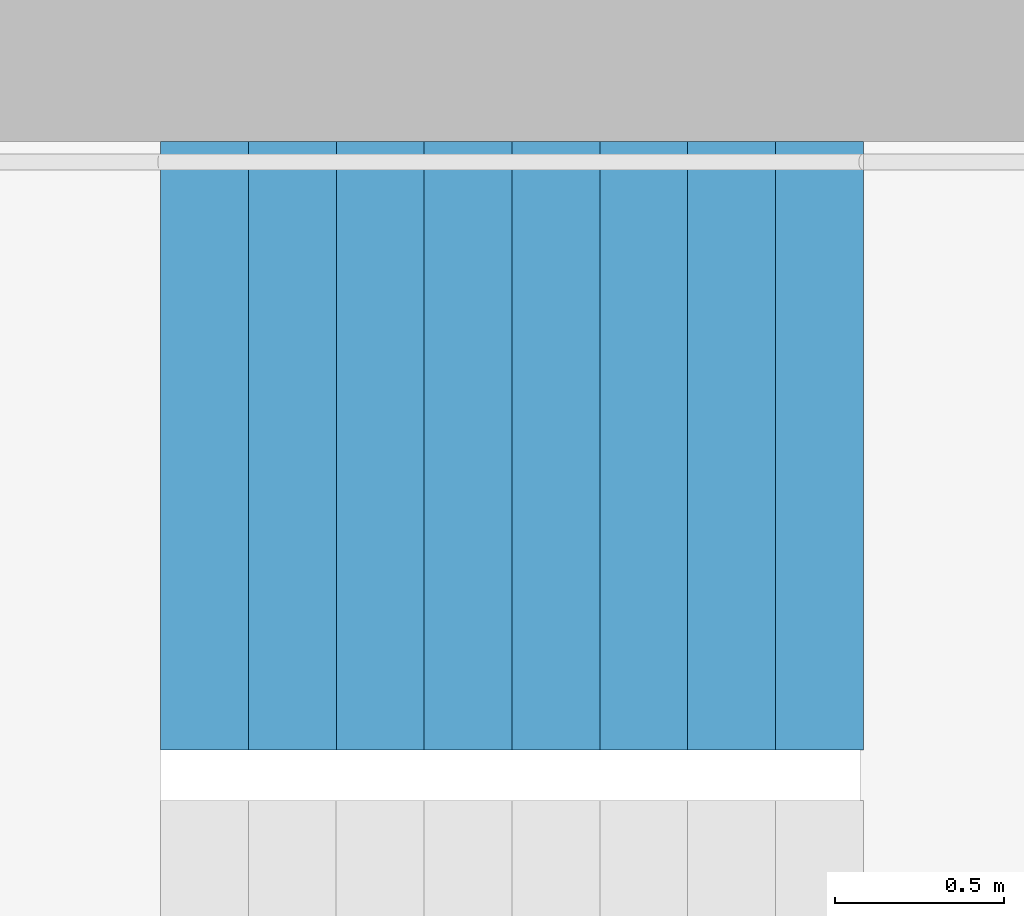
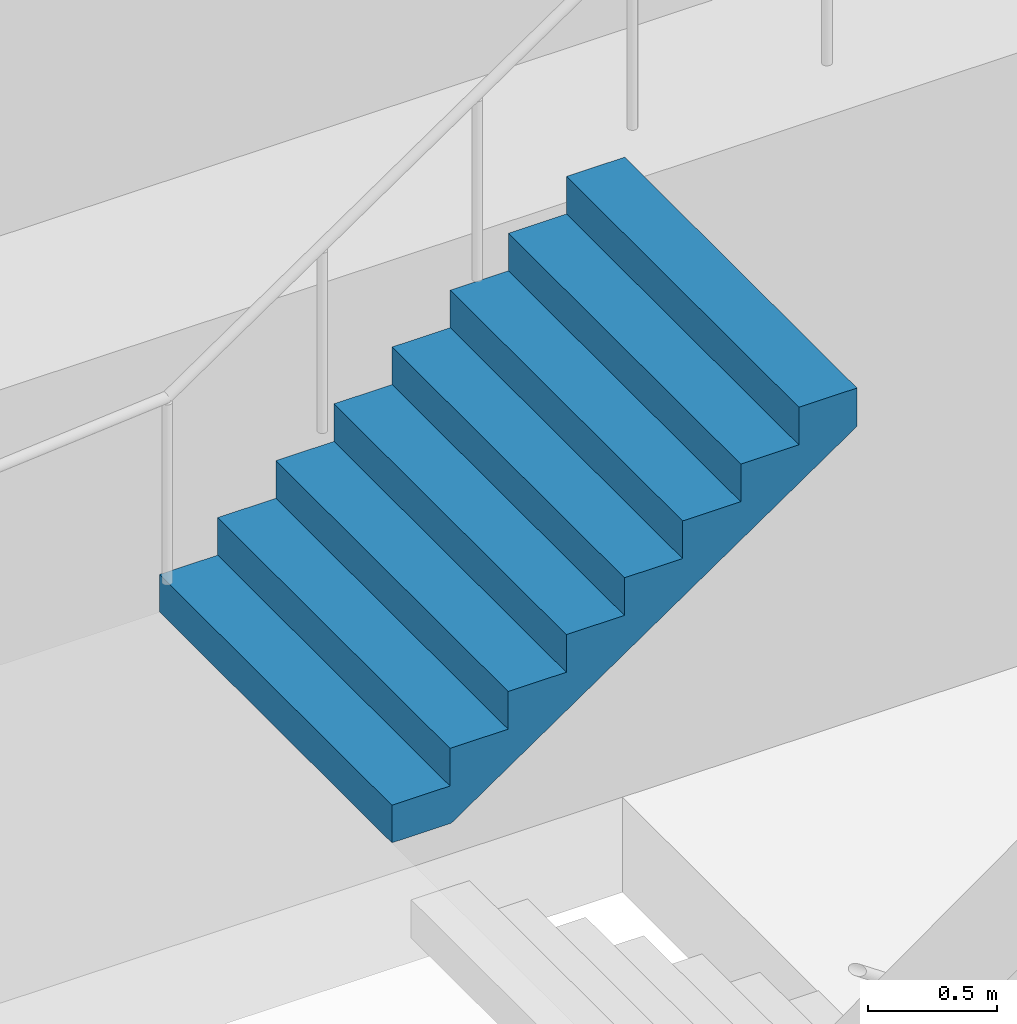
# One storey, part 25 of 26: 1 stair flight, 1 element without a shape of its own.
"""IFC4 building model written with IfcOpenShell, lengths in metres."""

import ifcopenshell
import ifcopenshell.guid

model = None  # the IFC model being written
_history = None  # IfcOwnerHistory: only IFC2X3 demands one
_inside = {}  # id of a spatial element -> (the spatial element, [elements in it])
_under = {}  # id of a project, library or spatial element -> (it, [spatial elements below it])
_declared = {}  # id of a project -> (the project, [libraries it declares])
_typed = {}  # id of a type object -> (the type object, [elements of that type])
_made_of = {}  # id of a material, layer set ... -> (it, [elements and type objects made of it])


def new_model(schema):
    """Start an empty IFC model of exactly this schema.

    Asked for "IFC4X3", IfcOpenShell would pick the latest addendum, in which some entities
    have other attributes; the version numbers below select the first issue.
    IFC2X3 requires an IfcOwnerHistory on every rooted entity: one is made here for all.
    """
    global model, _history
    if schema == "IFC4X3":
        model = ifcopenshell.file(schema_version=(4, 3, 0, 0))
    else:
        model = ifcopenshell.file(schema=schema)
    _inside.clear()
    _under.clear()
    _declared.clear()
    _typed.clear()
    _made_of.clear()
    _history = None
    if model.schema == "IFC2X3":
        org = make("IfcOrganization", Name="unknown")
        user = make(
            "IfcPersonAndOrganization",
            ThePerson=make("IfcPerson", FamilyName="unknown"),
            TheOrganization=org,
        )
        app = make(
            "IfcApplication",
            ApplicationDeveloper=org,
            Version="unknown",
            ApplicationFullName="unknown",
            ApplicationIdentifier="unknown",
        )
        _history = make(
            "IfcOwnerHistory",
            OwningUser=user,
            OwningApplication=app,
            ChangeAction="ADDED",
            CreationDate=0,
        )
    return model


def make(cls, **values):
    """One entity of the class cls with the attributes given. An attribute that is None is left unset."""
    return model.create_entity(
        cls, **{name: value for name, value in values.items() if value is not None}
    )


def rooted(cls, **values):
    """An entity with a GlobalId (a new one), such as an element, a storey or a relation."""
    return make(cls, GlobalId=ifcopenshell.guid.new(), OwnerHistory=_history, **values)


def si_unit(unit_type, name, prefix=None):
    """IfcSIUnit, for example si_unit("LENGTHUNIT", "METRE", prefix="MILLI")."""
    return make("IfcSIUnit", UnitType=unit_type, Prefix=prefix, Name=name)


def assignment(units):
    """IfcUnitAssignment: the units of a project."""
    return None if units is None else make("IfcUnitAssignment", Units=units)


def point(xyz):
    """IfcCartesianPoint."""
    return None if xyz is None else make("IfcCartesianPoint", Coordinates=xyz)


def direction(xyz):
    """IfcDirection."""
    return None if xyz is None else make("IfcDirection", DirectionRatios=xyz)


def frame(location, z_axis=None, x_axis=None):
    """IfcAxis2Placement3D, a coordinate frame: its origin and axes. An axis left out is left unset."""
    return make(
        "IfcAxis2Placement3D",
        Location=point(location),
        Axis=direction(z_axis),
        RefDirection=direction(x_axis),
    )


def origin():
    """The frame at (0, 0, 0) with its axes left unset."""
    return frame((0.0, 0.0, 0.0))


def place(relative_to, where):
    """IfcLocalPlacement: puts the frame where relative to a parent placement (None: the world)."""
    return make(
        "IfcLocalPlacement", PlacementRelTo=relative_to, RelativePlacement=where
    )


def context(
    kind, dimensions, precision=None, world=None, true_north=None, identifier=None
):
    """IfcGeometricRepresentationContext, for example the 3D "Model" context."""
    return make(
        "IfcGeometricRepresentationContext",
        ContextIdentifier=identifier,
        ContextType=kind,
        CoordinateSpaceDimension=dimensions,
        Precision=precision,
        WorldCoordinateSystem=world,
        TrueNorth=true_north,
    )


def subcontext(parent, identifier, kind, view, scale=None):
    """IfcGeometricRepresentationSubContext, for example "Body" below "Model"."""
    return make(
        "IfcGeometricRepresentationSubContext",
        ContextIdentifier=identifier,
        ContextType=kind,
        ParentContext=parent,
        TargetScale=scale,
        TargetView=view,
    )


def project(units=None, contexts=None):
    """IfcProject with its units and contexts."""
    return rooted(
        "IfcProject",
        Name="project",
        RepresentationContexts=contexts,
        UnitsInContext=assignment(units),
    )


def spatial(cls, under=None, at=None, **own):
    """A site, building, storey or space (cls), placed at a placement, below another one or the project."""
    s = rooted(cls, ObjectPlacement=at, **own)
    if under is not None:
        _under.setdefault(under.id(), (under, []))[1].append(s)
    return s


def point_list(points):
    """IfcCartesianPointList2D or 3D."""
    cls = (
        "IfcCartesianPointList2D" if len(points[0]) == 2 else "IfcCartesianPointList3D"
    )
    return make(cls, CoordList=points)


def triangles(points, corners, closed=None, point_numbers=None):
    """IfcTriangulatedFaceSet: each triangle names its three corners, points numbered from 1."""
    return make(
        "IfcTriangulatedFaceSet",
        Coordinates=point_list(points),
        Closed=closed,
        CoordIndex=corners,
        PnIndex=point_numbers,
    )


def shape(context_of_items, identifier, shape_type, items):
    """IfcShapeRepresentation: the items that make up one representation, for example the "Body"."""
    return make(
        "IfcShapeRepresentation",
        ContextOfItems=context_of_items,
        RepresentationIdentifier=identifier,
        RepresentationType=shape_type,
        Items=items,
    )


def material(Name=None, Category=None):
    """IfcMaterial."""
    return make("IfcMaterial", Name=Name, Category=Category)


def made_of(thing, what):
    """Note that an element or type object is made of a material, layer set ...; save() writes the relation."""
    if what is not None:
        _made_of.setdefault(what.id(), (what, []))[1].append(thing)
    return thing


def type_object(cls, material=None, **own):
    """A type object (cls), such as IfcWallType, which elements share."""
    return made_of(rooted(cls, **own), material)


def element(
    cls,
    number,
    at=None,
    inside=None,
    cuts=None,
    type_object=None,
    material=None,
    context=None,
    identifier="Body",
    shape_type=None,
    held_by="IfcProductDefinitionShape",
    body=None,
    shapes=None,
    **own,
):
    """One element of the class cls, such as IfcWall. Its Tag is "e" and its number.

    at: its placement. inside: the storey or other place that contains it. cuts: it is an
    opening in that element (IfcRelVoidsElement). A single representation is given by context,
    identifier, shape_type and body (its items); several are given by shapes. held_by: the class
    of the entity that holds the representations. save() writes the other relations.
    """
    e = rooted(cls, Tag="e%d" % number, ObjectPlacement=at, **own)
    if body is not None:
        shapes = [shape(context, identifier, shape_type, body)]
    if shapes is not None:
        e.Representation = make(held_by, Representations=shapes)
    if inside is not None:
        _inside.setdefault(inside.id(), (inside, []))[1].append(e)
    if cuts is not None:
        rooted(
            "IfcRelVoidsElement", RelatingBuildingElement=cuts, RelatedOpeningElement=e
        )
    if type_object is not None:
        _typed.setdefault(type_object.id(), (type_object, []))[1].append(e)
    return made_of(e, material)


def aggregate(whole, parts):
    """IfcRelAggregates: a whole, such as a stair, and the parts it consists of."""
    return rooted("IfcRelAggregates", RelatingObject=whole, RelatedObjects=parts)


def save(model, path):
    """Write the relations noted so far, then the file.

    IfcRelAggregates (storeys below a building ...), IfcRelContainedInSpatialStructure (elements
    in a storey), IfcRelDefinesByType, IfcRelAssociatesMaterial and IfcRelDeclares: one each for
    every whole, place, type object, material and project.
    """
    for whole, parts in _under.values():
        aggregate(whole, parts)
    for where, things in _inside.values():
        rooted(
            "IfcRelContainedInSpatialStructure",
            RelatedElements=things,
            RelatingStructure=where,
        )
    for kind, things in _typed.values():
        rooted("IfcRelDefinesByType", RelatedObjects=things, RelatingType=kind)
    for what, things in _made_of.values():
        rooted("IfcRelAssociatesMaterial", RelatedObjects=things, RelatingMaterial=what)
    for by, libraries in _declared.values():
        rooted("IfcRelDeclares", RelatingContext=by, RelatedDefinitions=libraries)
    model.write(path)


model = new_model("IFC4")

# Units and contexts
model_context = context("Model", 3, precision=1e-05, world=origin(), true_north=direction((0.0, 1.0)))
body_context = subcontext(model_context, "Body", "Model", "MODEL_VIEW")
ifc_project = project(units=[si_unit("LENGTHUNIT", "METRE"), si_unit("AREAUNIT", "SQUARE_METRE"), si_unit("VOLUMEUNIT", "CUBIC_METRE"), si_unit("PLANEANGLEUNIT", "RADIAN"), si_unit("MASSUNIT", "GRAM", prefix="KILO")], contexts=[model_context])

# Site, building, storey
site_placement = place(None, origin())
site = spatial("IfcSite", under=ifc_project, at=site_placement, CompositionType="ELEMENT")
building_placement = place(site_placement, origin())
building = spatial("IfcBuilding", under=site, at=building_placement, Name="Hakoniwa Tower and Hamabe Station Hall", CompositionType="ELEMENT")
storey_placement = place(building_placement, frame((0.0, 0.0, 225.0)))
storey = spatial("IfcBuildingStorey", under=building, at=storey_placement, Name="L64", CompositionType="ELEMENT", Elevation=225.0)

# Stair, stair flight
ifc_material_1 = material(Name="Concrete C40", Category="concrete")
stair_type = type_object("IfcStairType", Name="ESCAPE STAIR 1800", PredefinedType="HALF_TURN_STAIR", material=ifc_material_1)
stair_placement = place(storey_placement, origin())
stair = element("IfcStair", 1, at=stair_placement, inside=storey, type_object=stair_type, Name="Escape stair ST-3 L64", PredefinedType="HALF_TURN_STAIR")
ifc_material_2 = material(Name="Concrete C40", Category="concrete")
stair_flight_type = type_object("IfcStairFlightType", Name="STAIR FLIGHT 1800", PredefinedType="STRAIGHT", material=ifc_material_2)
stair_flight_placement = place(storey_placement, frame((22.320068359375, 6.60009765625, 1.60009765625), z_axis=(0.0, 0.0, 1.0), x_axis=(1.0, 0.0, 0.0)))
stair_flight = element("IfcStairFlight", 2, at=stair_flight_placement, type_object=stair_flight_type, Name="ST-3 flight 2", NumberOfRisers=9, NumberOfTreads=8, PredefinedType="STRAIGHT", RiserHeight=0.177777778, TreadLength=0.26, context=body_context, shape_type="Tessellation", body=[
    triangles([(0.0, 0.89990234375, 0.0), (0.260009765625, 0.89990234375, 0.0), (0.265625, 0.89990234375, 0.0), (0.52001953125, 0.89990234375, 0.174072265625), (0.780029296875, 0.89990234375, 0.351806640625), (1.0400390625, 0.89990234375, 0.529541015625), (1.300048828125, 0.89990234375, 0.707275390625), (1.56005859375, 0.89990234375, 0.885009765625), (1.820068359375, 0.89990234375, 1.062744140625), (2.080078125, 0.89990234375, 1.24072265625), (2.080078125, 0.89990234375, 1.422119140625), (1.820068359375, 0.89990234375, 1.422119140625), (1.820068359375, 0.89990234375, 1.244384765625), (1.56005859375, 0.89990234375, 1.244384765625), (1.56005859375, 0.89990234375, 1.066650390625), (1.300048828125, 0.89990234375, 1.066650390625), (1.300048828125, 0.89990234375, 0.888916015625), (1.0400390625, 0.89990234375, 0.888916015625), (1.0400390625, 0.89990234375, 0.711181640625), (0.780029296875, 0.89990234375, 0.711181640625), (0.780029296875, 0.89990234375, 0.533447265625), (0.52001953125, 0.89990234375, 0.533447265625), (0.52001953125, 0.89990234375, 0.35546875), (0.265625, 0.89990234375, 0.35546875), (0.260009765625, 0.89990234375, 0.35546875), (0.260009765625, 0.89990234375, 0.177734375), (0.0, 0.89990234375, 0.177734375), (0.0, 0.06005859375, 0.0), (0.260009765625, 0.06005859375, 0.0), (0.265625, 0.06005859375, 0.0), (0.52001953125, 0.06005859375, 0.174072265625), (0.780029296875, 0.06005859375, 0.351806640625), (1.0400390625, 0.06005859375, 0.529541015625), (1.300048828125, 0.06005859375, 0.707275390625), (1.56005859375, 0.06005859375, 0.885009765625), (1.820068359375, 0.06005859375, 1.062744140625), (2.080078125, 0.06005859375, 1.24072265625), (2.080078125, 0.06005859375, 1.422119140625), (1.820068359375, 0.06005859375, 1.422119140625), (1.820068359375, 0.06005859375, 1.244384765625), (1.56005859375, 0.06005859375, 1.244384765625), (1.56005859375, 0.06005859375, 1.066650390625), (1.300048828125, 0.06005859375, 1.066650390625), (1.300048828125, 0.06005859375, 0.888916015625), (1.0400390625, 0.06005859375, 0.888916015625), (1.0400390625, 0.06005859375, 0.711181640625), (0.780029296875, 0.06005859375, 0.711181640625), (0.780029296875, 0.06005859375, 0.533447265625), (0.52001953125, 0.06005859375, 0.533447265625), (0.52001953125, 0.06005859375, 0.35546875), (0.265625, 0.06005859375, 0.35546875), (0.260009765625, 0.06005859375, 0.35546875), (0.260009765625, 0.06005859375, 0.177734375), (0.0, 0.06005859375, 0.177734375), (0.0, 0.04296875, 0.0), (0.260009765625, 0.04296875, 0.0), (0.265625, 0.04296875, 0.0), (0.52001953125, 0.04296875, 0.174072265625), (0.780029296875, 0.04296875, 0.351806640625), (1.0400390625, 0.04296875, 0.529541015625), (1.300048828125, 0.04296875, 0.707275390625), (1.56005859375, 0.04296875, 0.885009765625), (1.820068359375, 0.04296875, 1.062744140625), (2.080078125, 0.04296875, 1.24072265625), (2.080078125, 0.04296875, 1.422119140625), (1.820068359375, 0.04296875, 1.422119140625), (1.820068359375, 0.04296875, 1.244384765625), (1.56005859375, 0.04296875, 1.244384765625), (1.56005859375, 0.04296875, 1.066650390625), (1.300048828125, 0.04296875, 1.066650390625), (1.300048828125, 0.04296875, 0.888916015625), (1.0400390625, 0.04296875, 0.888916015625), (1.0400390625, 0.04296875, 0.711181640625), (0.780029296875, 0.04296875, 0.711181640625), (0.780029296875, 0.04296875, 0.533447265625), (0.52001953125, 0.04296875, 0.533447265625), (0.52001953125, 0.04296875, 0.35546875), (0.265625, 0.04296875, 0.35546875), (0.260009765625, 0.04296875, 0.35546875), (0.260009765625, 0.04296875, 0.177734375), (0.0, 0.04296875, 0.177734375), (0.0, 0.025634765625, 0.0), (0.260009765625, 0.025634765625, 0.0), (0.265625, 0.025634765625, 0.0), (0.52001953125, 0.025634765625, 0.174072265625), (0.780029296875, 0.025634765625, 0.351806640625), (1.0400390625, 0.025634765625, 0.529541015625), (1.300048828125, 0.025634765625, 0.707275390625), (1.56005859375, 0.025634765625, 0.885009765625), (1.820068359375, 0.025634765625, 1.062744140625), (2.080078125, 0.025634765625, 1.24072265625), (2.080078125, 0.025634765625, 1.422119140625), (1.820068359375, 0.025634765625, 1.422119140625), (1.820068359375, 0.025634765625, 1.244384765625), (1.56005859375, 0.025634765625, 1.244384765625), (1.56005859375, 0.025634765625, 1.066650390625), (1.300048828125, 0.025634765625, 1.066650390625), (1.300048828125, 0.025634765625, 0.888916015625), (1.0400390625, 0.025634765625, 0.888916015625), (1.0400390625, 0.025634765625, 0.711181640625), (0.780029296875, 0.025634765625, 0.711181640625), (0.780029296875, 0.025634765625, 0.533447265625), (0.52001953125, 0.025634765625, 0.533447265625), (0.52001953125, 0.025634765625, 0.35546875), (0.265625, 0.025634765625, 0.35546875), (0.260009765625, 0.025634765625, 0.35546875), (0.260009765625, 0.025634765625, 0.177734375), (0.0, 0.025634765625, 0.177734375), (0.0, 0.008544921875, 0.0), (0.260009765625, 0.008544921875, 0.0), (0.265625, 0.008544921875, 0.0), (0.52001953125, 0.008544921875, 0.174072265625), (0.780029296875, 0.008544921875, 0.351806640625), (1.0400390625, 0.008544921875, 0.529541015625), (1.300048828125, 0.008544921875, 0.707275390625), (1.56005859375, 0.008544921875, 0.885009765625), (1.820068359375, 0.008544921875, 1.062744140625), (2.080078125, 0.008544921875, 1.24072265625), (2.080078125, 0.008544921875, 1.422119140625), (1.820068359375, 0.008544921875, 1.422119140625), (1.820068359375, 0.008544921875, 1.244384765625), (1.56005859375, 0.008544921875, 1.244384765625), (1.56005859375, 0.008544921875, 1.066650390625), (1.300048828125, 0.008544921875, 1.066650390625), (1.300048828125, 0.008544921875, 0.888916015625), (1.0400390625, 0.008544921875, 0.888916015625), (1.0400390625, 0.008544921875, 0.711181640625), (0.780029296875, 0.008544921875, 0.711181640625), (0.780029296875, 0.008544921875, 0.533447265625), (0.52001953125, 0.008544921875, 0.533447265625), (0.52001953125, 0.008544921875, 0.35546875), (0.265625, 0.008544921875, 0.35546875), (0.260009765625, 0.008544921875, 0.35546875), (0.260009765625, 0.008544921875, 0.177734375), (0.0, 0.008544921875, 0.177734375), (0.0, -0.008544921875, 0.0), (0.260009765625, -0.008544921875, 0.0), (0.265625, -0.008544921875, 0.0), (0.52001953125, -0.008544921875, 0.174072265625), (0.780029296875, -0.008544921875, 0.351806640625), (1.0400390625, -0.008544921875, 0.529541015625), (1.300048828125, -0.008544921875, 0.707275390625), (1.56005859375, -0.008544921875, 0.885009765625), (1.820068359375, -0.008544921875, 1.062744140625), (2.080078125, -0.008544921875, 1.24072265625), (2.080078125, -0.008544921875, 1.422119140625), (1.820068359375, -0.008544921875, 1.422119140625), (1.820068359375, -0.008544921875, 1.244384765625), (1.56005859375, -0.008544921875, 1.244384765625), (1.56005859375, -0.008544921875, 1.066650390625), (1.300048828125, -0.008544921875, 1.066650390625), (1.300048828125, -0.008544921875, 0.888916015625), (1.0400390625, -0.008544921875, 0.888916015625), (1.0400390625, -0.008544921875, 0.711181640625), (0.780029296875, -0.008544921875, 0.711181640625), (0.780029296875, -0.008544921875, 0.533447265625), (0.52001953125, -0.008544921875, 0.533447265625), (0.52001953125, -0.008544921875, 0.35546875), (0.265625, -0.008544921875, 0.35546875), (0.260009765625, -0.008544921875, 0.35546875), (0.260009765625, -0.008544921875, 0.177734375), (0.0, -0.008544921875, 0.177734375), (0.0, -0.025634765625, 0.0), (0.260009765625, -0.025634765625, 0.0), (0.265625, -0.025634765625, 0.0), (0.52001953125, -0.025634765625, 0.174072265625), (0.780029296875, -0.025634765625, 0.351806640625), (1.0400390625, -0.025634765625, 0.529541015625), (1.300048828125, -0.025634765625, 0.707275390625), (1.56005859375, -0.025634765625, 0.885009765625), (1.820068359375, -0.025634765625, 1.062744140625), (2.080078125, -0.025634765625, 1.24072265625), (2.080078125, -0.025634765625, 1.422119140625), (1.820068359375, -0.025634765625, 1.422119140625), (1.820068359375, -0.025634765625, 1.244384765625), (1.56005859375, -0.025634765625, 1.244384765625), (1.56005859375, -0.025634765625, 1.066650390625), (1.300048828125, -0.025634765625, 1.066650390625), (1.300048828125, -0.025634765625, 0.888916015625), (1.0400390625, -0.025634765625, 0.888916015625), (1.0400390625, -0.025634765625, 0.711181640625), (0.780029296875, -0.025634765625, 0.711181640625), (0.780029296875, -0.025634765625, 0.533447265625), (0.52001953125, -0.025634765625, 0.533447265625), (0.52001953125, -0.025634765625, 0.35546875), (0.265625, -0.025634765625, 0.35546875), (0.260009765625, -0.025634765625, 0.35546875), (0.260009765625, -0.025634765625, 0.177734375), (0.0, -0.025634765625, 0.177734375), (0.0, -0.04296875, 0.0), (0.260009765625, -0.04296875, 0.0), (0.265625, -0.04296875, 0.0), (0.52001953125, -0.04296875, 0.174072265625), (0.780029296875, -0.04296875, 0.351806640625), (1.0400390625, -0.04296875, 0.529541015625), (1.300048828125, -0.04296875, 0.707275390625), (1.56005859375, -0.04296875, 0.885009765625), (1.820068359375, -0.04296875, 1.062744140625), (2.080078125, -0.04296875, 1.24072265625), (2.080078125, -0.04296875, 1.422119140625), (1.820068359375, -0.04296875, 1.422119140625), (1.820068359375, -0.04296875, 1.244384765625), (1.56005859375, -0.04296875, 1.244384765625), (1.56005859375, -0.04296875, 1.066650390625), (1.300048828125, -0.04296875, 1.066650390625), (1.300048828125, -0.04296875, 0.888916015625), (1.0400390625, -0.04296875, 0.888916015625), (1.0400390625, -0.04296875, 0.711181640625), (0.780029296875, -0.04296875, 0.711181640625), (0.780029296875, -0.04296875, 0.533447265625), (0.52001953125, -0.04296875, 0.533447265625), (0.52001953125, -0.04296875, 0.35546875), (0.265625, -0.04296875, 0.35546875), (0.260009765625, -0.04296875, 0.35546875), (0.260009765625, -0.04296875, 0.177734375), (0.0, -0.04296875, 0.177734375), (0.0, -0.06005859375, 0.0), (0.260009765625, -0.06005859375, 0.0), (0.265625, -0.06005859375, 0.0), (0.52001953125, -0.06005859375, 0.174072265625), (0.780029296875, -0.06005859375, 0.351806640625), (1.0400390625, -0.06005859375, 0.529541015625), (1.300048828125, -0.06005859375, 0.707275390625), (1.56005859375, -0.06005859375, 0.885009765625), (1.820068359375, -0.06005859375, 1.062744140625), (2.080078125, -0.06005859375, 1.24072265625), (2.080078125, -0.06005859375, 1.422119140625), (1.820068359375, -0.06005859375, 1.422119140625), (1.820068359375, -0.06005859375, 1.244384765625), (1.56005859375, -0.06005859375, 1.244384765625), (1.56005859375, -0.06005859375, 1.066650390625), (1.300048828125, -0.06005859375, 1.066650390625), (1.300048828125, -0.06005859375, 0.888916015625), (1.0400390625, -0.06005859375, 0.888916015625), (1.0400390625, -0.06005859375, 0.711181640625), (0.780029296875, -0.06005859375, 0.711181640625), (0.780029296875, -0.06005859375, 0.533447265625), (0.52001953125, -0.06005859375, 0.533447265625), (0.52001953125, -0.06005859375, 0.35546875), (0.265625, -0.06005859375, 0.35546875), (0.260009765625, -0.06005859375, 0.35546875), (0.260009765625, -0.06005859375, 0.177734375), (0.0, -0.06005859375, 0.177734375), (0.0, -0.89990234375, 0.0), (0.260009765625, -0.89990234375, 0.0), (0.265625, -0.89990234375, 0.0), (0.52001953125, -0.89990234375, 0.174072265625), (0.780029296875, -0.89990234375, 0.351806640625), (1.0400390625, -0.89990234375, 0.529541015625), (1.300048828125, -0.89990234375, 0.707275390625), (1.56005859375, -0.89990234375, 0.885009765625), (1.820068359375, -0.89990234375, 1.062744140625), (2.080078125, -0.89990234375, 1.24072265625), (2.080078125, -0.89990234375, 1.422119140625), (1.820068359375, -0.89990234375, 1.422119140625), (1.820068359375, -0.89990234375, 1.244384765625), (1.56005859375, -0.89990234375, 1.244384765625), (1.56005859375, -0.89990234375, 1.066650390625), (1.300048828125, -0.89990234375, 1.066650390625), (1.300048828125, -0.89990234375, 0.888916015625), (1.0400390625, -0.89990234375, 0.888916015625), (1.0400390625, -0.89990234375, 0.711181640625), (0.780029296875, -0.89990234375, 0.711181640625), (0.780029296875, -0.89990234375, 0.533447265625), (0.52001953125, -0.89990234375, 0.533447265625), (0.52001953125, -0.89990234375, 0.35546875), (0.265625, -0.89990234375, 0.35546875), (0.260009765625, -0.89990234375, 0.35546875), (0.260009765625, -0.89990234375, 0.177734375), (0.0, -0.89990234375, 0.177734375)], [[2, 27, 26], [245, 269, 270], [2, 1, 27], [245, 270, 244], [3, 25, 24], [246, 267, 268], [3, 26, 25], [246, 268, 269], [3, 2, 26], [246, 269, 245], [4, 24, 23], [247, 266, 267], [4, 3, 24], [247, 267, 246], [5, 22, 21], [248, 264, 265], [5, 23, 22], [248, 265, 266], [5, 4, 23], [248, 266, 247], [6, 20, 19], [249, 262, 263], [6, 21, 20], [249, 263, 264], [6, 5, 21], [249, 264, 248], [7, 18, 17], [250, 260, 261], [7, 19, 18], [250, 261, 262], [7, 6, 19], [250, 262, 249], [8, 16, 15], [251, 258, 259], [8, 17, 16], [251, 259, 260], [8, 7, 17], [251, 260, 250], [9, 14, 13], [252, 256, 257], [9, 15, 14], [252, 257, 258], [9, 8, 15], [252, 258, 251], [10, 12, 11], [253, 254, 255], [10, 13, 12], [253, 255, 256], [10, 9, 13], [253, 256, 252], [1, 2, 29], [1, 29, 28], [28, 29, 56], [28, 56, 55], [55, 56, 83], [55, 83, 82], [82, 83, 110], [82, 110, 109], [109, 110, 137], [109, 137, 136], [136, 137, 164], [136, 164, 163], [163, 164, 191], [163, 191, 190], [190, 191, 218], [190, 218, 217], [217, 218, 245], [217, 245, 244], [2, 3, 30], [2, 30, 29], [29, 30, 57], [29, 57, 56], [56, 57, 84], [56, 84, 83], [83, 84, 111], [83, 111, 110], [110, 111, 138], [110, 138, 137], [137, 138, 165], [137, 165, 164], [164, 165, 192], [164, 192, 191], [191, 192, 219], [191, 219, 218], [218, 219, 246], [218, 246, 245], [3, 4, 31], [3, 31, 30], [30, 31, 58], [30, 58, 57], [57, 58, 85], [57, 85, 84], [84, 85, 112], [84, 112, 111], [111, 112, 139], [111, 139, 138], [138, 139, 166], [138, 166, 165], [165, 166, 193], [165, 193, 192], [192, 193, 220], [192, 220, 219], [219, 220, 247], [219, 247, 246], [4, 5, 32], [4, 32, 31], [31, 32, 59], [31, 59, 58], [58, 59, 86], [58, 86, 85], [85, 86, 113], [85, 113, 112], [112, 113, 140], [112, 140, 139], [139, 140, 167], [139, 167, 166], [166, 167, 194], [166, 194, 193], [193, 194, 221], [193, 221, 220], [220, 221, 248], [220, 248, 247], [5, 6, 33], [5, 33, 32], [32, 33, 60], [32, 60, 59], [59, 60, 87], [59, 87, 86], [86, 87, 114], [86, 114, 113], [113, 114, 141], [113, 141, 140], [140, 141, 168], [140, 168, 167], [167, 168, 195], [167, 195, 194], [194, 195, 222], [194, 222, 221], [221, 222, 249], [221, 249, 248], [6, 7, 34], [6, 34, 33], [33, 34, 61], [33, 61, 60], [60, 61, 88], [60, 88, 87], [87, 88, 115], [87, 115, 114], [114, 115, 142], [114, 142, 141], [141, 142, 169], [141, 169, 168], [168, 169, 196], [168, 196, 195], [195, 196, 223], [195, 223, 222], [222, 223, 250], [222, 250, 249], [7, 8, 35], [7, 35, 34], [34, 35, 62], [34, 62, 61], [61, 62, 89], [61, 89, 88], [88, 89, 116], [88, 116, 115], [115, 116, 143], [115, 143, 142], [142, 143, 170], [142, 170, 169], [169, 170, 197], [169, 197, 196], [196, 197, 224], [196, 224, 223], [223, 224, 251], [223, 251, 250], [8, 9, 36], [8, 36, 35], [35, 36, 63], [35, 63, 62], [62, 63, 90], [62, 90, 89], [89, 90, 117], [89, 117, 116], [116, 117, 144], [116, 144, 143], [143, 144, 171], [143, 171, 170], [170, 171, 198], [170, 198, 197], [197, 198, 225], [197, 225, 224], [224, 225, 252], [224, 252, 251], [9, 10, 37], [9, 37, 36], [36, 37, 64], [36, 64, 63], [63, 64, 91], [63, 91, 90], [90, 91, 118], [90, 118, 117], [117, 118, 145], [117, 145, 144], [144, 145, 172], [144, 172, 171], [171, 172, 199], [171, 199, 198], [198, 199, 226], [198, 226, 225], [225, 226, 253], [225, 253, 252], [10, 11, 38], [10, 38, 37], [37, 38, 65], [37, 65, 64], [64, 65, 92], [64, 92, 91], [91, 92, 119], [91, 119, 118], [118, 119, 146], [118, 146, 145], [145, 146, 173], [145, 173, 172], [172, 173, 200], [172, 200, 199], [199, 200, 227], [199, 227, 226], [226, 227, 254], [226, 254, 253], [11, 12, 39], [11, 39, 38], [38, 39, 66], [38, 66, 65], [65, 66, 93], [65, 93, 92], [92, 93, 120], [92, 120, 119], [119, 120, 147], [119, 147, 146], [146, 147, 174], [146, 174, 173], [173, 174, 201], [173, 201, 200], [200, 201, 228], [200, 228, 227], [227, 228, 255], [227, 255, 254], [12, 13, 40], [12, 40, 39], [39, 40, 67], [39, 67, 66], [66, 67, 94], [66, 94, 93], [93, 94, 121], [93, 121, 120], [120, 121, 148], [120, 148, 147], [147, 148, 175], [147, 175, 174], [174, 175, 202], [174, 202, 201], [201, 202, 229], [201, 229, 228], [228, 229, 256], [228, 256, 255], [13, 14, 41], [13, 41, 40], [40, 41, 68], [40, 68, 67], [67, 68, 95], [67, 95, 94], [94, 95, 122], [94, 122, 121], [121, 122, 149], [121, 149, 148], [148, 149, 176], [148, 176, 175], [175, 176, 203], [175, 203, 202], [202, 203, 230], [202, 230, 229], [229, 230, 257], [229, 257, 256], [14, 15, 42], [14, 42, 41], [41, 42, 69], [41, 69, 68], [68, 69, 96], [68, 96, 95], [95, 96, 123], [95, 123, 122], [122, 123, 150], [122, 150, 149], [149, 150, 177], [149, 177, 176], [176, 177, 204], [176, 204, 203], [203, 204, 231], [203, 231, 230], [230, 231, 258], [230, 258, 257], [15, 16, 43], [15, 43, 42], [42, 43, 70], [42, 70, 69], [69, 70, 97], [69, 97, 96], [96, 97, 124], [96, 124, 123], [123, 124, 151], [123, 151, 150], [150, 151, 178], [150, 178, 177], [177, 178, 205], [177, 205, 204], [204, 205, 232], [204, 232, 231], [231, 232, 259], [231, 259, 258], [16, 17, 44], [16, 44, 43], [43, 44, 71], [43, 71, 70], [70, 71, 98], [70, 98, 97], [97, 98, 125], [97, 125, 124], [124, 125, 152], [124, 152, 151], [151, 152, 179], [151, 179, 178], [178, 179, 206], [178, 206, 205], [205, 206, 233], [205, 233, 232], [232, 233, 260], [232, 260, 259], [17, 18, 45], [17, 45, 44], [44, 45, 72], [44, 72, 71], [71, 72, 99], [71, 99, 98], [98, 99, 126], [98, 126, 125], [125, 126, 153], [125, 153, 152], [152, 153, 180], [152, 180, 179], [179, 180, 207], [179, 207, 206], [206, 207, 234], [206, 234, 233], [233, 234, 261], [233, 261, 260], [18, 19, 46], [18, 46, 45], [45, 46, 73], [45, 73, 72], [72, 73, 100], [72, 100, 99], [99, 100, 127], [99, 127, 126], [126, 127, 154], [126, 154, 153], [153, 154, 181], [153, 181, 180], [180, 181, 208], [180, 208, 207], [207, 208, 235], [207, 235, 234], [234, 235, 262], [234, 262, 261], [19, 20, 47], [19, 47, 46], [46, 47, 74], [46, 74, 73], [73, 74, 101], [73, 101, 100], [100, 101, 128], [100, 128, 127], [127, 128, 155], [127, 155, 154], [154, 155, 182], [154, 182, 181], [181, 182, 209], [181, 209, 208], [208, 209, 236], [208, 236, 235], [235, 236, 263], [235, 263, 262], [20, 21, 48], [20, 48, 47], [47, 48, 75], [47, 75, 74], [74, 75, 102], [74, 102, 101], [101, 102, 129], [101, 129, 128], [128, 129, 156], [128, 156, 155], [155, 156, 183], [155, 183, 182], [182, 183, 210], [182, 210, 209], [209, 210, 237], [209, 237, 236], [236, 237, 264], [236, 264, 263], [21, 22, 49], [21, 49, 48], [48, 49, 76], [48, 76, 75], [75, 76, 103], [75, 103, 102], [102, 103, 130], [102, 130, 129], [129, 130, 157], [129, 157, 156], [156, 157, 184], [156, 184, 183], [183, 184, 211], [183, 211, 210], [210, 211, 238], [210, 238, 237], [237, 238, 265], [237, 265, 264], [22, 23, 50], [22, 50, 49], [49, 50, 77], [49, 77, 76], [76, 77, 104], [76, 104, 103], [103, 104, 131], [103, 131, 130], [130, 131, 158], [130, 158, 157], [157, 158, 185], [157, 185, 184], [184, 185, 212], [184, 212, 211], [211, 212, 239], [211, 239, 238], [238, 239, 266], [238, 266, 265], [23, 24, 51], [23, 51, 50], [50, 51, 78], [50, 78, 77], [77, 78, 105], [77, 105, 104], [104, 105, 132], [104, 132, 131], [131, 132, 159], [131, 159, 158], [158, 159, 186], [158, 186, 185], [185, 186, 213], [185, 213, 212], [212, 213, 240], [212, 240, 239], [239, 240, 267], [239, 267, 266], [24, 25, 52], [24, 52, 51], [51, 52, 79], [51, 79, 78], [78, 79, 106], [78, 106, 105], [105, 106, 133], [105, 133, 132], [132, 133, 160], [132, 160, 159], [159, 160, 187], [159, 187, 186], [186, 187, 214], [186, 214, 213], [213, 214, 241], [213, 241, 240], [240, 241, 268], [240, 268, 267], [25, 26, 53], [25, 53, 52], [52, 53, 80], [52, 80, 79], [79, 80, 107], [79, 107, 106], [106, 107, 134], [106, 134, 133], [133, 134, 161], [133, 161, 160], [160, 161, 188], [160, 188, 187], [187, 188, 215], [187, 215, 214], [214, 215, 242], [214, 242, 241], [241, 242, 269], [241, 269, 268], [26, 27, 54], [26, 54, 53], [53, 54, 81], [53, 81, 80], [80, 81, 108], [80, 108, 107], [107, 108, 135], [107, 135, 134], [134, 135, 162], [134, 162, 161], [161, 162, 189], [161, 189, 188], [188, 189, 216], [188, 216, 215], [215, 216, 243], [215, 243, 242], [242, 243, 270], [242, 270, 269], [27, 1, 28], [27, 28, 54], [54, 28, 55], [54, 55, 81], [81, 55, 82], [81, 82, 108], [108, 82, 109], [108, 109, 135], [135, 109, 136], [135, 136, 162], [162, 136, 163], [162, 163, 189], [189, 163, 190], [189, 190, 216], [216, 190, 217], [216, 217, 243], [243, 217, 244], [243, 244, 270]], closed=True),
])
aggregate(stair, [stair_flight])

save(model, "model.ifc")
